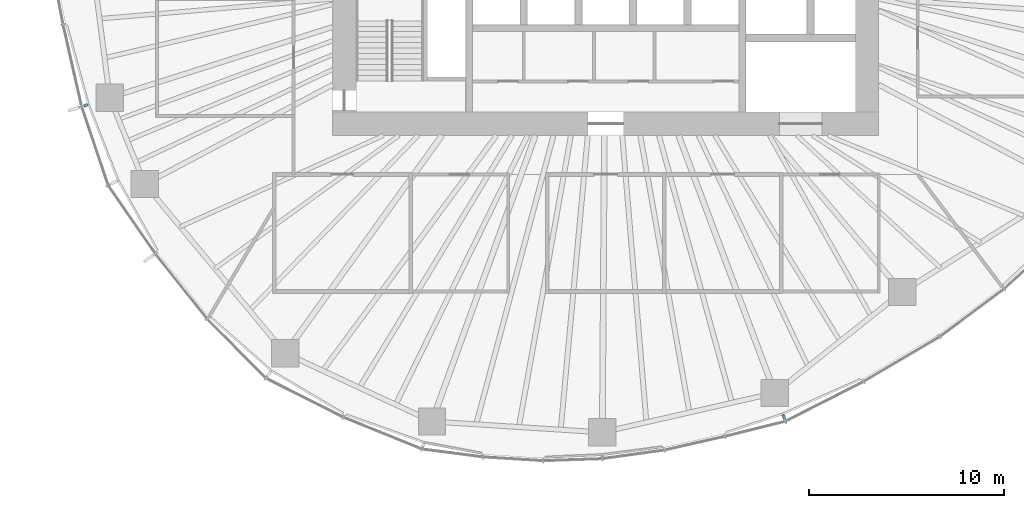
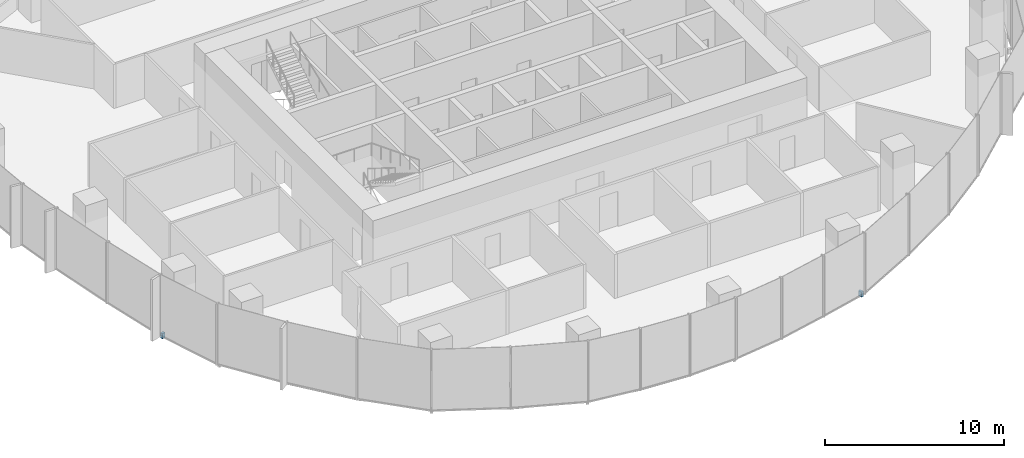
# One storey, part 13 of 18: 2 discrete accessories.
"""IFC4 building model written with IfcOpenShell, lengths in metres."""

from ifc_helpers import new_model, si_unit, direction, frame, origin, origin_2d, place, context, subcontext, project, spatial, rectangle, extrude, material, type_object, element, save


model = new_model("IFC4")

# Units and contexts
model_context = context("Model", 3, precision=1e-05, world=origin(), true_north=direction((0.0, 1.0)))
body_context = subcontext(model_context, "Body", "Model", "MODEL_VIEW")
ifc_project = project(units=[si_unit("LENGTHUNIT", "METRE"), si_unit("AREAUNIT", "SQUARE_METRE"), si_unit("VOLUMEUNIT", "CUBIC_METRE"), si_unit("PLANEANGLEUNIT", "RADIAN"), si_unit("MASSUNIT", "GRAM", prefix="KILO")], contexts=[model_context])

# Site, building, storey
site_placement = place(None, origin())
site = spatial("IfcSite", under=ifc_project, at=site_placement, CompositionType="ELEMENT")
building_placement = place(site_placement, origin())
building = spatial("IfcBuilding", under=site, at=building_placement, Name="Ghaith Harvest Tower", CompositionType="ELEMENT")
storey_placement = place(building_placement, frame((0.0, 0.0, 147.0)))
storey = spatial("IfcBuildingStorey", under=building, at=storey_placement, Name="L31", CompositionType="ELEMENT", Elevation=147.0)

# Discrete accessories
ifc_material_1 = material(Name="Stainless steel grade 1.4401", Category="steel")
discrete_accessory_type_1 = type_object("IfcDiscreteAccessoryType", Name="CURTAIN WALL BRACKET 205", PredefinedType="BRACKET", material=ifc_material_1)
discrete_accessory_1_placement = place(storey_placement, frame((-26.673095703125, -8.453125, -0.25), z_axis=(0.0, 0.0, 1.0), x_axis=(-0.953273219416, -0.302109531701, 0.0)))
element("IfcDiscreteAccessory", 1, at=discrete_accessory_1_placement, inside=storey, type_object=discrete_accessory_type_1, Name="CW-L bracket 1 bay 12 L31", PredefinedType="BRACKET", context=body_context, shape_type="SweptSolid", body=[
    extrude(rectangle(XDim=0.205078125, YDim=0.14990234375, at=origin_2d()), origin(), (0.0, 0.0, 1.0), 0.35009765625),
])
ifc_material_2 = material(Name="Stainless steel grade 1.4401", Category="steel")
discrete_accessory_type_2 = type_object("IfcDiscreteAccessoryType", Name="CURTAIN WALL BRACKET 245", PredefinedType="BRACKET", material=ifc_material_2)
discrete_accessory_2_placement = place(storey_placement, frame((9.135498046875, -24.436767578125, -0.25), z_axis=(0.0, 0.0, 1.0), x_axis=(0.35016769691, -0.93668702566, 0.0)))
element("IfcDiscreteAccessory", 2, at=discrete_accessory_2_placement, inside=storey, type_object=discrete_accessory_type_2, Name="CW-L bracket 1 bay 17 L31", PredefinedType="BRACKET", context=body_context, shape_type="SweptSolid", body=[
    extrude(rectangle(XDim=0.2451171875, YDim=0.14990234375, at=origin_2d()), origin(), (0.0, 0.0, 1.0), 0.35009765625),
])

save(model, "model.ifc")
